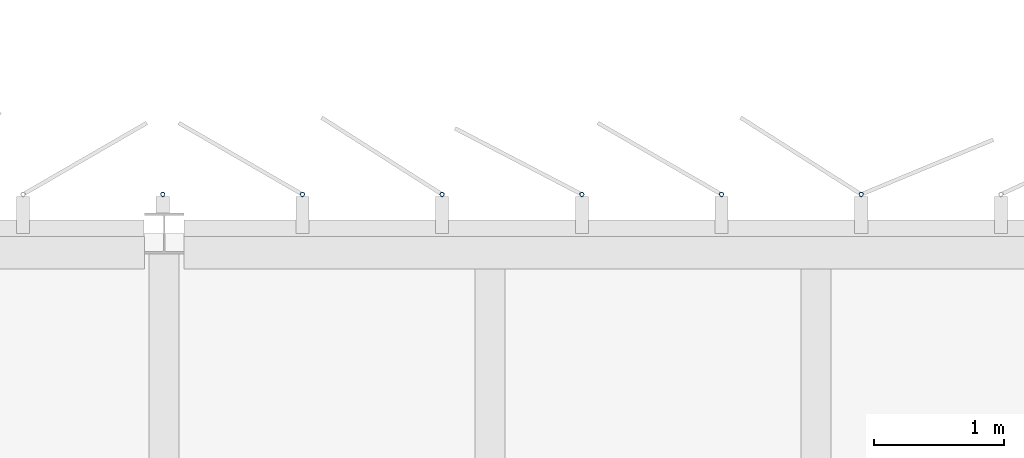
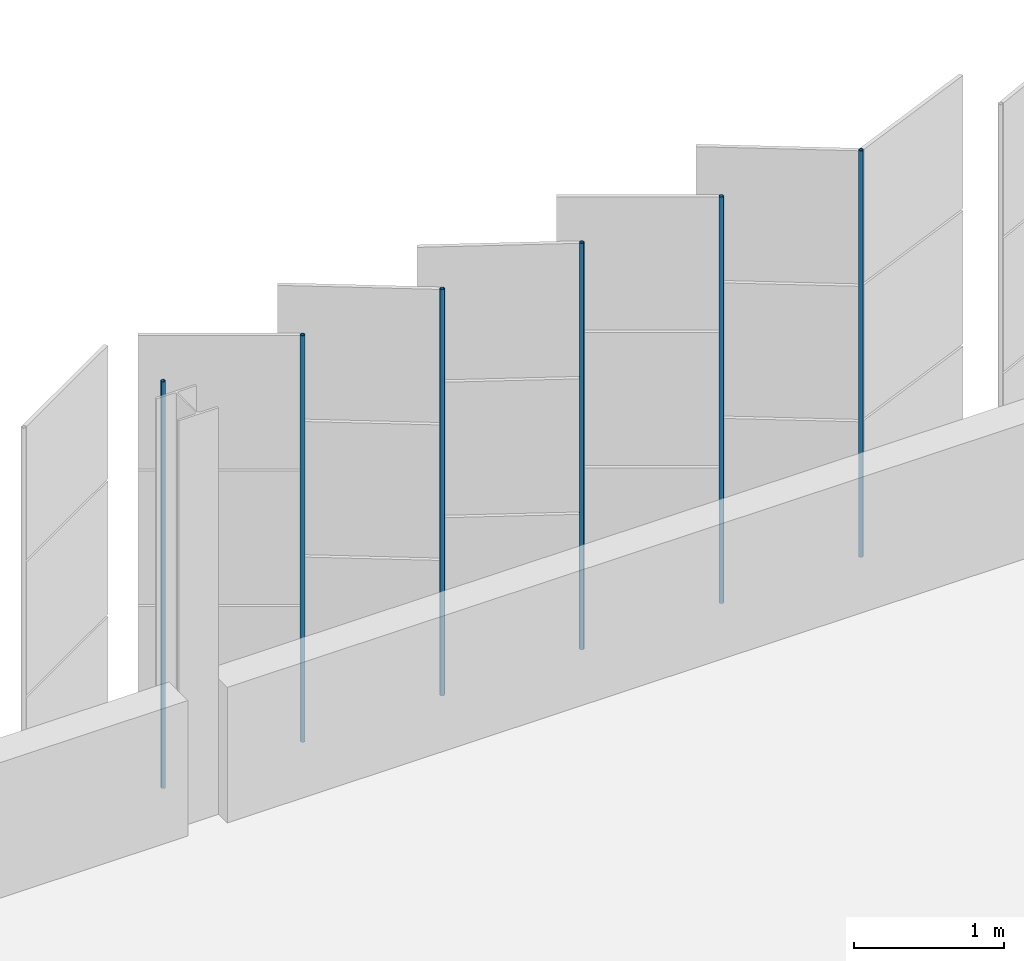
# One storey, part 153 of 214: 6 discrete accessories.
"""IFC4 building model written with IfcOpenShell, lengths in metres."""

from ifc_helpers import new_model, si_unit, direction, frame, origin, origin_2d, place, context, subcontext, project, spatial, hollow_circle, extrude, material, material_profile, profile_set, type_object, element, save


model = new_model("IFC4")

# Units and contexts
model_context = context("Model", 3, precision=1e-05, world=origin(), true_north=direction((0.0, 1.0)))
body_context = subcontext(model_context, "Body", "Model", "MODEL_VIEW")
ifc_project = project(units=[si_unit("LENGTHUNIT", "METRE"), si_unit("AREAUNIT", "SQUARE_METRE"), si_unit("VOLUMEUNIT", "CUBIC_METRE"), si_unit("PLANEANGLEUNIT", "RADIAN"), si_unit("MASSUNIT", "GRAM", prefix="KILO")], contexts=[model_context])

# Site, building, storey
site_placement = place(None, origin())
site = spatial("IfcSite", under=ifc_project, at=site_placement, CompositionType="ELEMENT")
building_placement = place(site_placement, origin())
building = spatial("IfcBuilding", under=site, at=building_placement, Name="Parallax Yard Mobility Hub", CompositionType="ELEMENT")
storey_placement = place(building_placement, frame((0.0, 0.0, 3.300048828125)))
storey = spatial("IfcBuildingStorey", under=building, at=storey_placement, Name="L01", CompositionType="ELEMENT", Elevation=3.300048828125)

# Discrete accessories
ifc_material = material(Name="Steel ASTM A500 Gr C, hot-dip galvanised", Category="steel")
ifc_material_profile = material_profile(ifc_material, hollow_circle(Radius=0.016845703125, WallThickness=0.003173828125, at=origin_2d()), Name="CHS 33.7x3.2")
ifc_profile_set = profile_set([ifc_material_profile], Name="Steel ASTM A500 Gr C, hot-dip galvanised")
discrete_accessory_type = type_object("IfcDiscreteAccessoryType", Name="Hinge post CHS 33.7x3.2", PredefinedType="BRACKET", material=ifc_profile_set)
for number, where, z_axis, x_axis, name in (
    (1, (72.84716796875, 142.800048828125, 0.0), (0.0, 0.0, 1.0), (1.0, 0.0, 0.0), "Hinge post bay 64.3 level L01"),
    (2, (71.775634765625, 142.800048828125, 0.0), (0.0, 0.0, 1.0), (1.0, 0.0, 0.0), "Hinge post bay 64.4 level L01"),
    (3, (70.7041015625, 142.800048828125, 0.0), (0.0, 0.0, 1.0), (1.0, 0.0, 0.0), "Hinge post bay 64.5 level L01"),
    (4, (69.632568359375, 142.800048828125, 0.0), (0.0, 0.0, 1.0), (1.0, 0.0, 0.0), "Hinge post bay 64.6 level L01"),
    (5, (68.56103515625, 142.800048828125, 0.0), (0.0, 0.0, 1.0), (1.0, 0.0, 0.0), "Hinge post bay 64.7 level L01"),
    (6, (67.489501953125, 142.800048828125, 0.0), (0.0, 0.0, 1.0), (1.0, 0.0, 0.0), "Hinge post bay 65.1 level L01"),
):
    element("IfcDiscreteAccessory", number, at=place(storey_placement, frame(where, z_axis=z_axis, x_axis=x_axis)), inside=storey, type_object=discrete_accessory_type, Name=name, PredefinedType="BRACKET", context=body_context, shape_type="SweptSolid", body=[
        extrude(hollow_circle(Radius=0.016845703125, WallThickness=0.003173828125, at=origin_2d()), origin(), (0.0, 0.0, 1.0), 3.300048828125),
    ])

save(model, "model.ifc")
